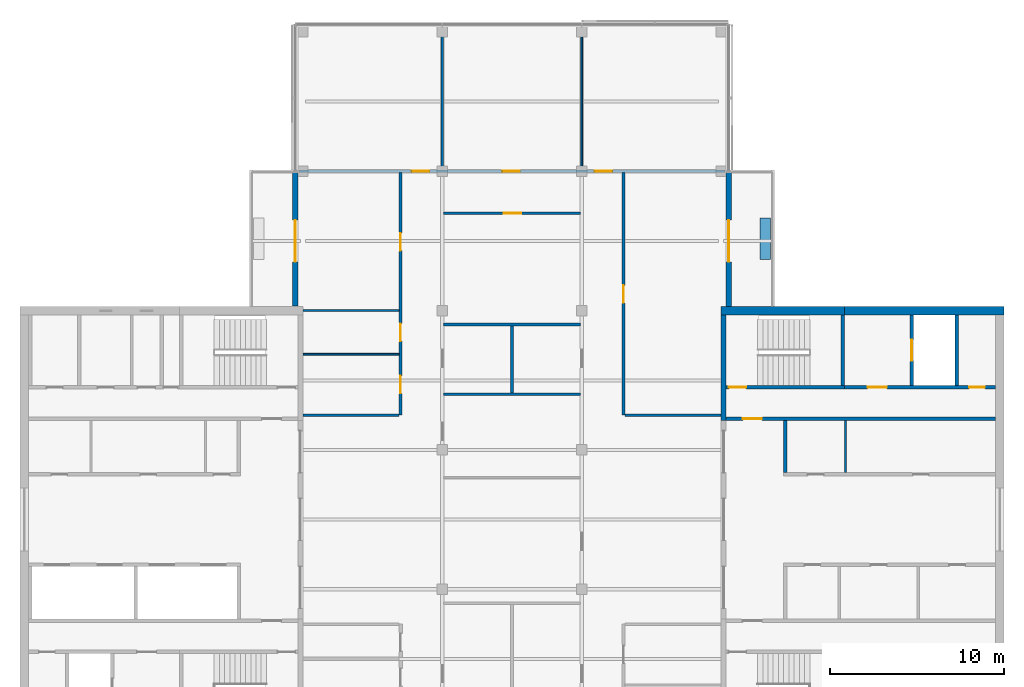
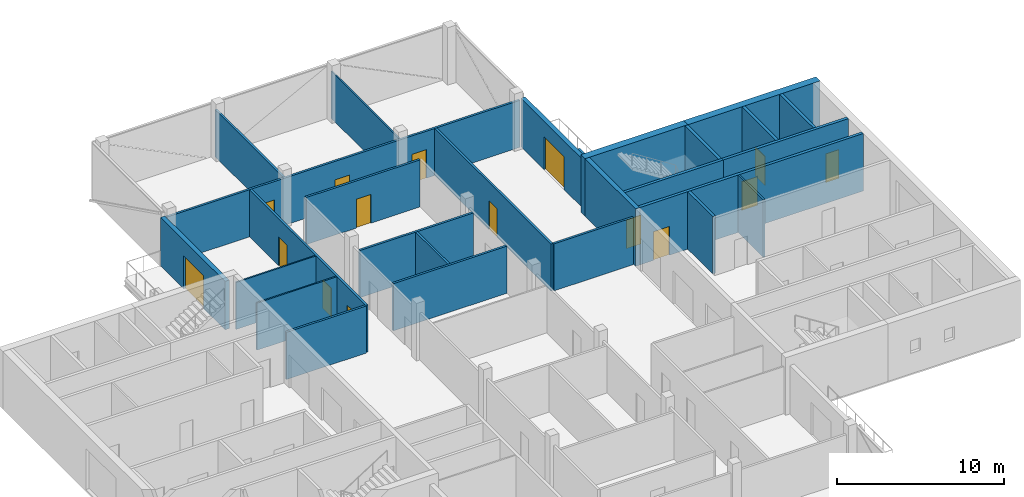
# One storey, part 8 of 12: 27 walls, 15 doors, 15 openings.
"""IFC4 building model written with IfcOpenShell, lengths in metres."""

from ifc_helpers import new_model, si_unit, direction, frame, frame_2d, origin, place, context, subcontext, project, spatial, rectangle, extrude, material, layer, layer_set, constituent, constituent_set, type_object, element, fill, save


model = new_model("IFC4")

# Units and contexts
model_context = context("Model", 3, precision=1e-05, world=origin(), true_north=direction((0.0, 1.0)))
body_context = subcontext(model_context, "Body", "Model", "MODEL_VIEW")
ifc_project = project(units=[si_unit("LENGTHUNIT", "METRE"), si_unit("AREAUNIT", "SQUARE_METRE"), si_unit("VOLUMEUNIT", "CUBIC_METRE"), si_unit("PLANEANGLEUNIT", "RADIAN"), si_unit("MASSUNIT", "GRAM", prefix="KILO")], contexts=[model_context])

# Site, building, storey
site_placement = place(None, origin())
site = spatial("IfcSite", under=ifc_project, at=site_placement, CompositionType="ELEMENT")
building_placement = place(site_placement, origin())
building = spatial("IfcBuilding", under=site, at=building_placement, Name="Crosswind Convention Tower", CompositionType="ELEMENT")
storey_placement = place(building_placement, frame((0.0, 0.0, 311.300048828125)))
storey = spatial("IfcBuildingStorey", under=building, at=storey_placement, Name="L67", CompositionType="ELEMENT", Elevation=311.300048828125)

# Walls
ifc_material_1 = material(Name="Concrete C50/60", Category="concrete")
ifc_layer_1 = layer(ifc_material_1, 0.300048828125)
ifc_layer_set_1 = layer_set([ifc_layer_1], Name="Concrete C50/60")
wall_type_1 = type_object("IfcWallType", Name="Concrete inner core wall 300", PredefinedType="SHEAR", material=ifc_layer_set_1)
wall_1_placement = place(storey_placement, frame((137.14990234375, 105.699951171875, 0.0), z_axis=(0.0, 0.0, 1.0), x_axis=(0.0, 1.0, 0.0)))
element("IfcWall", 1, at=wall_1_placement, inside=storey, type_object=wall_type_1, Name="Wall EP E L67", PredefinedType="SHEAR", context=body_context, shape_type="SweptSolid", body=[
    extrude(rectangle(XDim=6.050048828125, YDim=0.300048828125, at=frame_2d((3.02490234375, 0.0))), origin(), (0.0, 0.0, 1.0), 4.199951171875),
])
ifc_layer_2 = layer(ifc_material_1, 0.199951171875)
ifc_layer_set_2 = layer_set([ifc_layer_2], Name="Concrete C50/60")
wall_type_2 = type_object("IfcWallType", Name="Concrete shaft and stair wall 200", PredefinedType="SHEAR", material=ifc_layer_set_2)
wall_2_placement = place(storey_placement, frame((140.699951171875, 102.699951171875, 0.0), z_axis=(0.0, 0.0, 1.0), x_axis=(0.0, 1.0, 0.0)))
element("IfcWall", 2, at=wall_2_placement, inside=storey, type_object=wall_type_2, Name="Wall RPEND E L67", PredefinedType="SHEAR", context=body_context, shape_type="SweptSolid", body=[
    extrude(rectangle(XDim=3.0, YDim=0.199951171875, at=frame_2d((1.5, 0.0))), origin(), (0.0, 0.0, 1.0), 4.199951171875),
])

# Wall, opening, door
wall_3_placement = place(storey_placement, frame((137.300048828125, 105.800048828125, 0.0), z_axis=(0.0, 0.0, 1.0), x_axis=(1.0, 0.0, 0.0)))
wall_3 = element("IfcWall", 3, at=wall_3_placement, inside=storey, type_object=wall_type_2, Name="Wall HP E L67", PredefinedType="SHEAR", context=body_context, shape_type="SweptSolid", body=[
    extrude(rectangle(XDim=15.449951171875, YDim=0.199951171875, at=frame_2d((7.72509765625, 0.0))), origin(), (0.0, 0.0, 1.0), 4.199951171875),
])
opening_1_placement = place(wall_3_placement, frame((0.949951171875, 0.0, 0.0)))
opening_1 = element("IfcOpeningElement", 4, at=opening_1_placement, cuts=wall_3, Name="Opening D104", PredefinedType="OPENING", context=body_context, shape_type="SweptSolid", body=[
    extrude(rectangle(XDim=1.10009765625, YDim=2.10009765625, at=frame_2d((0.550048828125, 1.050048828125))), frame((0.0, 0.10986328125, 0.0), z_axis=(0.0, -1.0, 0.0), x_axis=(1.0, 0.0, 0.0)), (0.0, 0.0, 1.0), 0.219970703125),
])
ifc_material_2 = material(Name="Steel fire door", Category="steel")
door_type_1 = type_object("IfcDoorType", Name="Fire-rated single door 1100x2100", OperationType="NOTDEFINED", PredefinedType="DOOR", material=ifc_material_2)
door_1_placement = place(opening_1_placement, origin())
door_1 = element("IfcDoor", 5, at=door_1_placement, inside=storey, type_object=door_type_1, Name="Corridor door L67", ObjectType="D104", OperationType="SINGLE_SWING_LEFT", OverallHeight=2.10009765625, OverallWidth=1.10009765625, PredefinedType="DOOR", context=body_context, shape_type="SweptSolid", body=[
    extrude(rectangle(XDim=1.10009765625, YDim=2.10009765625, at=frame_2d((0.550048828125, 1.050048828125))), frame((0.0, 0.02490234375, 0.0), z_axis=(0.0, -1.0, 0.0), x_axis=(1.0, 0.0, 0.0)), (0.0, 0.0, 1.0), 0.050048828125),
])
fill(opening_1, door_1)

# Wall
wall_4_placement = place(storey_placement, frame((144.0, 107.699951171875, 0.0), z_axis=(0.0, 0.0, 1.0), x_axis=(0.0, 1.0, 0.0)))
element("IfcWall", 6, at=wall_4_placement, inside=storey, type_object=wall_type_2, Name="Wall PSE E L67", PredefinedType="SHEAR", context=body_context, shape_type="SweptSolid", body=[
    extrude(rectangle(XDim=4.050048828125, YDim=0.199951171875, at=frame_2d((2.02490234375, 0.0))), origin(), (0.0, 0.0, 1.0), 4.199951171875),
])

# Wall, opening, door
wall_5_placement = place(storey_placement, frame((147.949951171875, 107.699951171875, 0.0), z_axis=(0.0, 0.0, 1.0), x_axis=(0.0, 1.0, 0.0)))
wall_5 = element("IfcWall", 7, at=wall_5_placement, inside=storey, type_object=wall_type_2, Name="Wall PFLW E L67", PredefinedType="SHEAR", context=body_context, shape_type="SweptSolid", body=[
    extrude(rectangle(XDim=4.050048828125, YDim=0.199951171875, at=frame_2d((2.02490234375, 0.0))), origin(), (0.0, 0.0, 1.0), 4.199951171875),
])
opening_2_placement = place(wall_5_placement, frame((1.425048828125, 0.0, 0.0)))
opening_2 = element("IfcOpeningElement", 8, at=opening_2_placement, cuts=wall_5, Name="Opening LD1", PredefinedType="OPENING", context=body_context, shape_type="SweptSolid", body=[
    extrude(rectangle(XDim=1.199951171875, YDim=2.10009765625, at=frame_2d((0.60009765625, 1.050048828125))), frame((0.0, 0.10986328125, 0.0), z_axis=(0.0, -1.0, 0.0), x_axis=(1.0, 0.0, 0.0)), (0.0, 0.0, 1.0), 0.219970703125),
])
ifc_material_3 = material(Name="Stainless steel", Category="steel")
door_type_2 = type_object("IfcDoorType", Name="Lift landing door 1200x2100", OperationType="DOUBLE_DOOR_SLIDING", PredefinedType="DOOR", material=ifc_material_3)
door_2_placement = place(opening_2_placement, origin())
door_2 = element("IfcDoor", 9, at=door_2_placement, inside=storey, type_object=door_type_2, Name="Landing door FF1 L67", ObjectType="LD1", OperationType="DOUBLE_DOOR_SLIDING", OverallHeight=2.10009765625, OverallWidth=1.199951171875, PredefinedType="DOOR", context=body_context, shape_type="SweptSolid", body=[
    extrude(rectangle(XDim=1.199951171875, YDim=2.10009765625, at=frame_2d((0.60009765625, 1.050048828125))), frame((0.0, 0.02490234375, 0.0), z_axis=(0.0, -1.0, 0.0), x_axis=(1.0, 0.0, 0.0)), (0.0, 0.0, 1.0), 0.050048828125),
])
fill(opening_2, door_2)

# Wall
wall_6_placement = place(storey_placement, frame((150.550048828125, 107.699951171875, 0.0), z_axis=(0.0, 0.0, 1.0), x_axis=(0.0, 1.0, 0.0)))
element("IfcWall", 10, at=wall_6_placement, inside=storey, type_object=wall_type_2, Name="Wall PFSE E L67", PredefinedType="SHEAR", context=body_context, shape_type="SweptSolid", body=[
    extrude(rectangle(XDim=4.050048828125, YDim=0.199951171875, at=frame_2d((2.02490234375, 0.0))), origin(), (0.0, 0.0, 1.0), 4.199951171875),
])

# Wall, opening, door
wall_7_placement = place(storey_placement, frame((137.300048828125, 107.60009765625, 0.0), z_axis=(0.0, 0.0, 1.0), x_axis=(1.0, 0.0, 0.0)))
wall_7 = element("IfcWall", 11, at=wall_7_placement, inside=storey, type_object=wall_type_2, Name="Wall PCW E L67", PredefinedType="SHEAR", context=body_context, shape_type="SweptSolid", body=[
    extrude(rectangle(XDim=6.800048828125, YDim=0.199951171875, at=frame_2d((3.39990234375, 0.0))), origin(), (0.0, 0.0, 1.0), 4.199951171875),
])
opening_3_placement = place(wall_7_placement, frame((0.14990234375, 0.0, 0.0)))
opening_3 = element("IfcOpeningElement", 12, at=opening_3_placement, cuts=wall_7, Name="Opening D103", PredefinedType="OPENING", context=body_context, shape_type="SweptSolid", body=[
    extrude(rectangle(XDim=1.0, YDim=2.10009765625, at=frame_2d((0.5, 1.050048828125))), frame((0.0, 0.10986328125, 0.0), z_axis=(0.0, -1.0, 0.0), x_axis=(1.0, 0.0, 0.0)), (0.0, 0.0, 1.0), 0.219970703125),
])
door_type_3 = type_object("IfcDoorType", Name="Fire-rated single door 1000x2100", OperationType="NOTDEFINED", PredefinedType="DOOR", material=ifc_material_2)
door_3_placement = place(opening_3_placement, origin())
door_3 = element("IfcDoor", 13, at=door_3_placement, inside=storey, type_object=door_type_3, Name="Stair ST1 door L67", ObjectType="D103", OperationType="SINGLE_SWING_LEFT", OverallHeight=2.10009765625, OverallWidth=1.0, PredefinedType="DOOR", context=body_context, shape_type="SweptSolid", body=[
    extrude(rectangle(XDim=1.0, YDim=2.10009765625, at=frame_2d((0.5, 1.050048828125))), frame((0.0, 0.02490234375, 0.0), z_axis=(0.0, -1.0, 0.0), x_axis=(1.0, 0.0, 0.0)), (0.0, 0.0, 1.0), 0.050048828125),
])
fill(opening_3, door_3)

# Wall, openings, doors
wall_8_placement = place(storey_placement, frame((144.10009765625, 107.60009765625, 0.0), z_axis=(0.0, 0.0, 1.0), x_axis=(1.0, 0.0, 0.0)))
wall_8 = element("IfcWall", 14, at=wall_8_placement, inside=storey, type_object=wall_type_2, Name="Wall PCX E L67", PredefinedType="SHEAR", context=body_context, shape_type="SweptSolid", body=[
    extrude(rectangle(XDim=8.64990234375, YDim=0.199951171875, at=frame_2d((4.324951171875, 0.0))), origin(), (0.0, 0.0, 1.0), 4.199951171875),
])
opening_4_placement = place(wall_8_placement, frame((1.324951171875, 0.0, 0.0)))
opening_4 = element("IfcOpeningElement", 15, at=opening_4_placement, cuts=wall_8, Name="Opening D104", PredefinedType="OPENING", context=body_context, shape_type="SweptSolid", body=[
    extrude(rectangle(XDim=1.10009765625, YDim=2.10009765625, at=frame_2d((0.550048828125, 1.050048828125))), frame((0.0, 0.10986328125, 0.0), z_axis=(0.0, -1.0, 0.0), x_axis=(1.0, 0.0, 0.0)), (0.0, 0.0, 1.0), 0.219970703125),
])
opening_5_placement = place(wall_8_placement, frame((7.14990234375, 0.0, 0.0)))
opening_5 = element("IfcOpeningElement", 16, at=opening_5_placement, cuts=wall_8, Name="Opening D106", PredefinedType="OPENING", context=body_context, shape_type="SweptSolid", body=[
    extrude(rectangle(XDim=0.89990234375, YDim=2.10009765625, at=frame_2d((0.449951171875, 1.050048828125))), frame((0.0, 0.10986328125, 0.0), z_axis=(0.0, -1.0, 0.0), x_axis=(1.0, 0.0, 0.0)), (0.0, 0.0, 1.0), 0.219970703125),
])
door_4_placement = place(opening_4_placement, origin())
door_4 = element("IfcDoor", 17, at=door_4_placement, inside=storey, type_object=door_type_1, Name="Fire-fighting lobby FF1 door L67", ObjectType="D104", OperationType="SINGLE_SWING_RIGHT", OverallHeight=2.10009765625, OverallWidth=1.10009765625, PredefinedType="DOOR", context=body_context, shape_type="SweptSolid", body=[
    extrude(rectangle(XDim=1.10009765625, YDim=2.10009765625, at=frame_2d((0.550048828125, 1.050048828125))), frame((0.0, 0.02490234375, 0.0), z_axis=(0.0, -1.0, 0.0), x_axis=(1.0, 0.0, 0.0)), (0.0, 0.0, 1.0), 0.050048828125),
])
fill(opening_4, door_4)
ifc_material_4 = material(Name="Timber door", Category="wood")
door_type_4 = type_object("IfcDoorType", Name="Single leaf door 900x2100", OperationType="NOTDEFINED", PredefinedType="DOOR", material=ifc_material_4)
door_5_placement = place(opening_5_placement, origin())
door_5 = element("IfcDoor", 18, at=door_5_placement, inside=storey, type_object=door_type_4, Name="Door to comms room L67", ObjectType="D106", OperationType="SINGLE_SWING_RIGHT", OverallHeight=2.10009765625, OverallWidth=0.89990234375, PredefinedType="DOOR", context=body_context, shape_type="SweptSolid", body=[
    extrude(rectangle(XDim=0.89990234375, YDim=2.10009765625, at=frame_2d((0.449951171875, 1.050048828125))), frame((0.0, 0.02490234375, 0.0), z_axis=(0.0, -1.0, 0.0), x_axis=(1.0, 0.0, 0.0)), (0.0, 0.0, 1.0), 0.050048828125),
])
fill(opening_5, door_5)

# Walls
ifc_material_5 = material(Name="Gypsum plasterboard partition", Category="gypsum")
ifc_layer_3 = layer(ifc_material_5, 0.125)
ifc_layer_set_3 = layer_set([ifc_layer_3], Name="Drywall partition wall 125")
wall_type_3 = type_object("IfcWallType", Name="Drywall partition wall 125", PredefinedType="PARTITIONING", material=ifc_layer_set_3)
wall_9_placement = place(storey_placement, frame((144.14599609375, 102.699951171875, 0.0), z_axis=(0.0, 0.0, 1.0), x_axis=(0.0, 1.0, 0.0)))
element("IfcWall", 19, at=wall_9_placement, inside=storey, type_object=wall_type_3, Name="Wall RPP1 E L67", PredefinedType="PARTITIONING", context=body_context, shape_type="SweptSolid", body=[
    extrude(rectangle(XDim=3.0, YDim=0.125, at=frame_2d((1.5, 0.0))), origin(), (0.0, 0.0, 1.0), 4.199951171875),
])
ifc_material_6 = material(Name="Plasterboard partition", Category="gypsum")
ifc_layer_4 = layer(ifc_material_6, 0.10009765625)
ifc_layer_set_4 = layer_set([ifc_layer_4], Name="PARTITION 100 METAL STUD")
wall_type_4 = type_object("IfcWallType", Name="PARTITION 100 METAL STUD", PredefinedType="PARTITIONING", material=ifc_layer_set_4)
wall_10_placement = place(storey_placement, frame((129.0, 120.074951171875, 0.0), z_axis=(0.0, 0.0, 1.0), x_axis=(0.0, 1.0, 0.0)))
element("IfcWall", 20, at=wall_10_placement, inside=storey, type_object=wall_type_4, Name="Partition wall WT40", PredefinedType="PARTITIONING", context=body_context, shape_type="SweptSolid", body=[
    extrude(rectangle(XDim=8.14501953125, YDim=0.10009765625, at=frame_2d((4.072509765625, 0.0))), origin(), (0.0, 0.0, 1.0), 3.44287109375),
])
for number, where, z_axis, x_axis, name in (
    (21, (113.0, 109.5, 0.0), (0.0, 0.0, 1.0), (1.0, 0.0, 0.0), "Partition wall WT40"),
    (22, (113.0, 112.0, 0.0), (0.0, 0.0, 1.0), (1.0, 0.0, 0.0), "Partition wall WT40"),
):
    element("IfcWall", number, at=place(storey_placement, frame(where, z_axis=z_axis, x_axis=x_axis)), inside=storey, type_object=wall_type_4, Name=name, PredefinedType="PARTITIONING", context=body_context, shape_type="SweptSolid", body=[
        extrude(rectangle(XDim=5.52490234375, YDim=0.10009765625, at=frame_2d((2.762451171875, 0.0))), origin(), (0.0, 0.0, 1.0), 3.44287109375),
    ])
ifc_material_7 = material(Name="Concrete C30/37", Category="concrete")
ifc_layer_5 = layer(ifc_material_7, 0.60009765625)
ifc_layer_set_5 = layer_set([ifc_layer_5], Name="Concrete C30/37")
wall_type_5 = type_object("IfcWallType", Name="PLANTER BOX WALL 600", PredefinedType="SOLIDWALL", material=ifc_layer_set_5)
wall_11_placement = place(storey_placement, frame((139.550048828125, 114.925048828125, 0.0), z_axis=(0.0, 0.0, 1.0), x_axis=(0.0, 1.0, 0.0)))
element("IfcWall", 23, at=wall_11_placement, inside=storey, type_object=wall_type_5, Name="PLANTER L67 N-E.1-1", PredefinedType="SOLIDWALL", context=body_context, shape_type="SweptSolid", body=[
    extrude(rectangle(XDim=2.39990234375, YDim=0.60009765625, at=frame_2d((1.199951171875, 0.0))), origin(), (0.0, 0.0, 1.0), 0.599853515625),
])

# Wall, openings, doors
ifc_material_8 = material(Name="Fire-board partition with mineral wool", Category="gypsum")
ifc_layer_6 = layer(ifc_material_8, 0.14990234375)
ifc_layer_set_6 = layer_set([ifc_layer_6], Name="TENANCY WALL 150 TWO-HOUR BOARD")
wall_type_6 = type_object("IfcWallType", Name="TENANCY WALL 150 TWO-HOUR BOARD", PredefinedType="PARTITIONING", material=ifc_layer_set_6)
wall_12_placement = place(storey_placement, frame((118.60009765625, 106.0, 0.0), z_axis=(0.0, 0.0, 1.0), x_axis=(0.0, 1.0, 0.0)))
wall_12 = element("IfcWall", 24, at=wall_12_placement, inside=storey, type_object=wall_type_6, Name="Tenancy wall WT41", PredefinedType="PARTITIONING", context=body_context, shape_type="SweptSolid", body=[
    extrude(rectangle(XDim=13.925048828125, YDim=0.14990234375, at=frame_2d((6.96240234375, 0.0))), origin(), (0.0, 0.0, 1.0), 3.44287109375),
])
opening_6_placement = place(wall_12_placement, frame((1.25, 0.0, 0.0)))
opening_6 = element("IfcOpeningElement", 25, at=opening_6_placement, cuts=wall_12, Name="Opening L67-54", PredefinedType="OPENING", context=body_context, shape_type="SweptSolid", body=[
    extrude(rectangle(XDim=1.0, YDim=2.10009765625, at=frame_2d((0.5, 1.050048828125))), frame((0.0, 0.0849609375, 0.0), z_axis=(0.0, -1.0, 0.0), x_axis=(1.0, 0.0, 0.0)), (0.0, 0.0, 1.0), 0.169921875),
])
opening_7_placement = place(wall_12_placement, frame((4.25, 0.0, 0.0)))
opening_7 = element("IfcOpeningElement", 26, at=opening_7_placement, cuts=wall_12, Name="Opening L67-55", PredefinedType="OPENING", context=body_context, shape_type="SweptSolid", body=[
    extrude(rectangle(XDim=1.0, YDim=2.10009765625, at=frame_2d((0.5, 1.050048828125))), frame((0.0, 0.0849609375, 0.0), z_axis=(0.0, -1.0, 0.0), x_axis=(1.0, 0.0, 0.0)), (0.0, 0.0, 1.0), 0.169921875),
])
opening_8_placement = place(wall_12_placement, frame((9.449951171875, 0.0, 0.0)))
opening_8 = element("IfcOpeningElement", 27, at=opening_8_placement, cuts=wall_12, Name="Opening L67-56", PredefinedType="OPENING", context=body_context, shape_type="SweptSolid", body=[
    extrude(rectangle(XDim=1.0, YDim=2.10009765625, at=frame_2d((0.5, 1.050048828125))), frame((0.0, 0.0849609375, 0.0), z_axis=(0.0, -1.0, 0.0), x_axis=(1.0, 0.0, 0.0)), (0.0, 0.0, 1.0), 0.169921875),
])
ifc_material_9 = material(Name="Timber fire door", Category="wood")
door_type_5 = type_object("IfcDoorType", Name="TENANCY ENTRANCE DOOR 1000X2100 FD30S", OperationType="NOTDEFINED", PredefinedType="DOOR", material=ifc_material_9)
door_6_placement = place(opening_6_placement, origin())
door_6 = element("IfcDoor", 28, at=door_6_placement, inside=storey, type_object=door_type_5, Name="Door L67-54", ObjectType="D41", OperationType="SINGLE_SWING_RIGHT", OverallHeight=2.10009765625, OverallWidth=1.0, PredefinedType="DOOR", context=body_context, shape_type="SweptSolid", body=[
    extrude(rectangle(XDim=1.0, YDim=2.10009765625, at=frame_2d((0.5, 1.050048828125))), frame((0.0, 0.02490234375, 0.0), z_axis=(0.0, -1.0, 0.0), x_axis=(1.0, 0.0, 0.0)), (0.0, 0.0, 1.0), 0.050048828125),
])
fill(opening_6, door_6)
door_7_placement = place(opening_7_placement, origin())
door_7 = element("IfcDoor", 29, at=door_7_placement, inside=storey, type_object=door_type_5, Name="Door L67-55", ObjectType="D41", OperationType="SINGLE_SWING_RIGHT", OverallHeight=2.10009765625, OverallWidth=1.0, PredefinedType="DOOR", context=body_context, shape_type="SweptSolid", body=[
    extrude(rectangle(XDim=1.0, YDim=2.10009765625, at=frame_2d((0.5, 1.050048828125))), frame((0.0, 0.02490234375, 0.0), z_axis=(0.0, -1.0, 0.0), x_axis=(1.0, 0.0, 0.0)), (0.0, 0.0, 1.0), 0.050048828125),
])
fill(opening_7, door_7)
door_8_placement = place(opening_8_placement, origin())
door_8 = element("IfcDoor", 30, at=door_8_placement, inside=storey, type_object=door_type_5, Name="Door L67-56", ObjectType="D41", OperationType="SINGLE_SWING_LEFT", OverallHeight=2.10009765625, OverallWidth=1.0, PredefinedType="DOOR", context=body_context, shape_type="SweptSolid", body=[
    extrude(rectangle(XDim=1.0, YDim=2.10009765625, at=frame_2d((0.5, 1.050048828125))), frame((0.0, 0.02490234375, 0.0), z_axis=(0.0, -1.0, 0.0), x_axis=(1.0, 0.0, 0.0)), (0.0, 0.0, 1.0), 0.050048828125),
])
fill(opening_8, door_8)

# Walls
wall_13_placement = place(storey_placement, frame((121.0, 120.074951171875, 0.0), z_axis=(0.0, 0.0, 1.0), x_axis=(0.0, 1.0, 0.0)))
element("IfcWall", 31, at=wall_13_placement, inside=storey, type_object=wall_type_6, Name="Tenancy wall WT41", PredefinedType="PARTITIONING", context=body_context, shape_type="SweptSolid", body=[
    extrude(rectangle(XDim=8.14501953125, YDim=0.14990234375, at=frame_2d((4.072509765625, 0.0))), origin(), (0.0, 0.0, 1.0), 3.44287109375),
])
wall_14_placement = place(storey_placement, frame((125.0, 107.27490234375, 0.0), z_axis=(0.0, 0.0, 1.0), x_axis=(0.0, 1.0, 0.0)))
element("IfcWall", 32, at=wall_14_placement, inside=storey, type_object=wall_type_6, Name="Tenancy wall WT41", PredefinedType="PARTITIONING", context=body_context, shape_type="SweptSolid", body=[
    extrude(rectangle(XDim=3.85009765625, YDim=0.14990234375, at=frame_2d((1.925048828125, 0.0))), origin(), (0.0, 0.0, 1.0), 3.44287109375),
])

# Wall, opening, door
wall_15_placement = place(storey_placement, frame((131.39990234375, 106.0, 0.0), z_axis=(0.0, 0.0, 1.0), x_axis=(0.0, 1.0, 0.0)))
wall_15 = element("IfcWall", 33, at=wall_15_placement, inside=storey, type_object=wall_type_6, Name="Tenancy wall WT41", PredefinedType="PARTITIONING", context=body_context, shape_type="SweptSolid", body=[
    extrude(rectangle(XDim=13.925048828125, YDim=0.14990234375, at=frame_2d((6.96240234375, 0.0))), origin(), (0.0, 0.0, 1.0), 3.44287109375),
])
opening_9_placement = place(wall_15_placement, frame((6.449951171875, 0.0, 0.0)))
opening_9 = element("IfcOpeningElement", 34, at=opening_9_placement, cuts=wall_15, Name="Opening L67-50", PredefinedType="OPENING", context=body_context, shape_type="SweptSolid", body=[
    extrude(rectangle(XDim=1.0, YDim=2.10009765625, at=frame_2d((0.5, 1.050048828125))), frame((0.0, 0.0849609375, 0.0), z_axis=(0.0, -1.0, 0.0), x_axis=(1.0, 0.0, 0.0)), (0.0, 0.0, 1.0), 0.169921875),
])
door_9_placement = place(opening_9_placement, origin())
door_9 = element("IfcDoor", 35, at=door_9_placement, inside=storey, type_object=door_type_5, Name="Door L67-50", ObjectType="D41", OperationType="SINGLE_SWING_RIGHT", OverallHeight=2.10009765625, OverallWidth=1.0, PredefinedType="DOOR", context=body_context, shape_type="SweptSolid", body=[
    extrude(rectangle(XDim=1.0, YDim=2.10009765625, at=frame_2d((0.5, 1.050048828125))), frame((0.0, 0.02490234375, 0.0), z_axis=(0.0, -1.0, 0.0), x_axis=(1.0, 0.0, 0.0)), (0.0, 0.0, 1.0), 0.050048828125),
])
fill(opening_9, door_9)

# Walls
for number, where, z_axis, x_axis, name in (
    (36, (113.0, 106.0, 0.0), (0.0, 0.0, 1.0), (1.0, 0.0, 0.0), "Tenancy wall WT41"),
    (37, (131.47509765625, 106.0, 0.0), (0.0, 0.0, 1.0), (1.0, 0.0, 0.0), "Tenancy wall WT41"),
):
    element("IfcWall", number, at=place(storey_placement, frame(where, z_axis=z_axis, x_axis=x_axis)), inside=storey, type_object=wall_type_6, Name=name, PredefinedType="PARTITIONING", context=body_context, shape_type="SweptSolid", body=[
        extrude(rectangle(XDim=5.52490234375, YDim=0.14990234375, at=frame_2d((2.762451171875, 0.0))), origin(), (0.0, 0.0, 1.0), 3.44287109375),
    ])
for number, where, z_axis, x_axis, name in (
    (38, (121.074951171875, 107.199951171875, 0.0), (0.0, 0.0, 1.0), (1.0, 0.0, 0.0), "Tenancy wall WT41"),
    (39, (121.074951171875, 111.199951171875, 0.0), (0.0, 0.0, 1.0), (1.0, 0.0, 0.0), "Tenancy wall WT41"),
):
    element("IfcWall", number, at=place(storey_placement, frame(where, z_axis=z_axis, x_axis=x_axis)), inside=storey, type_object=wall_type_6, Name=name, PredefinedType="PARTITIONING", context=body_context, shape_type="SweptSolid", body=[
        extrude(rectangle(XDim=7.85009765625, YDim=0.14990234375, at=frame_2d((3.925048828125, 0.0))), origin(), (0.0, 0.0, 1.0), 3.44287109375),
    ])

# Wall, opening, door
wall_16_placement = place(storey_placement, frame((121.074951171875, 117.60009765625, 0.0), z_axis=(0.0, 0.0, 1.0), x_axis=(1.0, 0.0, 0.0)))
wall_16 = element("IfcWall", 40, at=wall_16_placement, inside=storey, type_object=wall_type_6, Name="Tenancy wall WT41", PredefinedType="PARTITIONING", context=body_context, shape_type="SweptSolid", body=[
    extrude(rectangle(XDim=7.85009765625, YDim=0.14990234375, at=frame_2d((3.925048828125, 0.0))), origin(), (0.0, 0.0, 1.0), 3.44287109375),
])
opening_10_placement = place(wall_16_placement, frame((3.449951171875, 0.0, 0.0)))
opening_10 = element("IfcOpeningElement", 41, at=opening_10_placement, cuts=wall_16, Name="Opening L67-72", PredefinedType="OPENING", context=body_context, shape_type="SweptSolid", body=[
    extrude(rectangle(XDim=1.0, YDim=2.10009765625, at=frame_2d((0.5, 1.050048828125))), frame((0.0, 0.0849609375, 0.0), z_axis=(0.0, -1.0, 0.0), x_axis=(1.0, 0.0, 0.0)), (0.0, 0.0, 1.0), 0.169921875),
])
door_10_placement = place(opening_10_placement, frame((1.0, 0.0, 0.0), z_axis=(0.0, 0.0, 1.0), x_axis=(-1.0, 0.0, 0.0)))
door_10 = element("IfcDoor", 42, at=door_10_placement, inside=storey, type_object=door_type_5, Name="Door L67-72", ObjectType="D41", OperationType="SINGLE_SWING_LEFT", OverallHeight=2.10009765625, OverallWidth=1.0, PredefinedType="DOOR", context=body_context, shape_type="SweptSolid", body=[
    extrude(rectangle(XDim=1.0, YDim=2.10009765625, at=frame_2d((0.5, 1.050048828125))), frame((0.0, 0.02490234375, 0.0), z_axis=(0.0, -1.0, 0.0), x_axis=(1.0, 0.0, 0.0)), (0.0, 0.0, 1.0), 0.050048828125),
])
fill(opening_10, door_10)

# Wall, openings, doors
wall_17_placement = place(storey_placement, frame((112.780029296875, 120.0, 0.0), z_axis=(0.0, 0.0, 1.0), x_axis=(1.0, 0.0, 0.0)))
wall_17 = element("IfcWall", 43, at=wall_17_placement, inside=storey, type_object=wall_type_6, Name="Tenancy wall WT41", PredefinedType="PARTITIONING", context=body_context, shape_type="SweptSolid", body=[
    extrude(rectangle(XDim=24.43994140625, YDim=0.14990234375, at=frame_2d((12.219970703125, 0.0))), origin(), (0.0, 0.0, 1.0), 3.44287109375),
])
opening_11_placement = place(wall_17_placement, frame((6.469970703125, 0.0, 0.0)))
opening_11 = element("IfcOpeningElement", 44, at=opening_11_placement, cuts=wall_17, Name="Opening L67-61", PredefinedType="OPENING", context=body_context, shape_type="SweptSolid", body=[
    extrude(rectangle(XDim=1.0, YDim=2.10009765625, at=frame_2d((0.5, 1.050048828125))), frame((0.0, 0.0849609375, 0.0), z_axis=(0.0, -1.0, 0.0), x_axis=(1.0, 0.0, 0.0)), (0.0, 0.0, 1.0), 0.169921875),
])
opening_12_placement = place(wall_17_placement, frame((11.669921875, 0.0, 0.0)))
opening_12 = element("IfcOpeningElement", 45, at=opening_12_placement, cuts=wall_17, Name="Opening L67-62", PredefinedType="OPENING", context=body_context, shape_type="SweptSolid", body=[
    extrude(rectangle(XDim=1.0, YDim=2.10009765625, at=frame_2d((0.5, 1.050048828125))), frame((0.0, 0.0849609375, 0.0), z_axis=(0.0, -1.0, 0.0), x_axis=(1.0, 0.0, 0.0)), (0.0, 0.0, 1.0), 0.169921875),
])
opening_13_placement = place(wall_17_placement, frame((16.969970703125, 0.0, 0.0)))
opening_13 = element("IfcOpeningElement", 46, at=opening_13_placement, cuts=wall_17, Name="Opening L67-63", PredefinedType="OPENING", context=body_context, shape_type="SweptSolid", body=[
    extrude(rectangle(XDim=1.0, YDim=2.10009765625, at=frame_2d((0.5, 1.050048828125))), frame((0.0, 0.0849609375, 0.0), z_axis=(0.0, -1.0, 0.0), x_axis=(1.0, 0.0, 0.0)), (0.0, 0.0, 1.0), 0.169921875),
])
door_11_placement = place(opening_11_placement, origin())
door_11 = element("IfcDoor", 47, at=door_11_placement, inside=storey, type_object=door_type_5, Name="Door L67-61", ObjectType="D41", OperationType="SINGLE_SWING_RIGHT", OverallHeight=2.10009765625, OverallWidth=1.0, PredefinedType="DOOR", context=body_context, shape_type="SweptSolid", body=[
    extrude(rectangle(XDim=1.0, YDim=2.10009765625, at=frame_2d((0.5, 1.050048828125))), frame((0.0, 0.02490234375, 0.0), z_axis=(0.0, -1.0, 0.0), x_axis=(1.0, 0.0, 0.0)), (0.0, 0.0, 1.0), 0.050048828125),
])
fill(opening_11, door_11)
door_12_placement = place(opening_12_placement, frame((1.0, 0.0, 0.0), z_axis=(0.0, 0.0, 1.0), x_axis=(-1.0, 0.0, 0.0)))
door_12 = element("IfcDoor", 48, at=door_12_placement, inside=storey, type_object=door_type_5, Name="Door L67-62", ObjectType="D41", OperationType="SINGLE_SWING_RIGHT", OverallHeight=2.10009765625, OverallWidth=1.0, PredefinedType="DOOR", context=body_context, shape_type="SweptSolid", body=[
    extrude(rectangle(XDim=1.0, YDim=2.10009765625, at=frame_2d((0.5, 1.050048828125))), frame((0.0, 0.02490234375, 0.0), z_axis=(0.0, -1.0, 0.0), x_axis=(1.0, 0.0, 0.0)), (0.0, 0.0, 1.0), 0.050048828125),
])
fill(opening_12, door_12)
door_13_placement = place(opening_13_placement, origin())
door_13 = element("IfcDoor", 49, at=door_13_placement, inside=storey, type_object=door_type_5, Name="Door L67-63", ObjectType="D41", OperationType="SINGLE_SWING_LEFT", OverallHeight=2.10009765625, OverallWidth=1.0, PredefinedType="DOOR", context=body_context, shape_type="SweptSolid", body=[
    extrude(rectangle(XDim=1.0, YDim=2.10009765625, at=frame_2d((0.5, 1.050048828125))), frame((0.0, 0.02490234375, 0.0), z_axis=(0.0, -1.0, 0.0), x_axis=(1.0, 0.0, 0.0)), (0.0, 0.0, 1.0), 0.050048828125),
])
fill(opening_13, door_13)

# Wall, opening, door
ifc_material_10 = material(Name="Terracotta rainscreen", Category="ceramic")
ifc_layer_7 = layer(ifc_material_10, 0.02001953125)
ifc_material_11 = material(Name="Mineral wool insulation", Category="insulation")
ifc_layer_8 = layer(ifc_material_11, 0.10009765625)
ifc_material_12 = material(Name="Concrete blockwork", Category="masonry")
ifc_layer_9 = layer(ifc_material_12, 0.179931640625)
ifc_layer_set_7 = layer_set([ifc_layer_7, ifc_layer_8, ifc_layer_9], Name="TERRACOTTA INFILL WALL 300")
wall_type_7 = type_object("IfcWallType", Name="TERRACOTTA INFILL WALL 300", PredefinedType="SOLIDWALL", material=ifc_layer_set_7)
wall_18_placement = place(storey_placement, frame((137.449951171875, 112.25, 0.0), z_axis=(0.0, 0.0, 1.0), x_axis=(0.0, 1.0, 0.0)))
wall_18 = element("IfcWall", 50, at=wall_18_placement, inside=storey, type_object=wall_type_7, Name="Notch front wall L67 N-E.1-1", PredefinedType="SOLIDWALL", context=body_context, shape_type="SweptSolid", body=[
    extrude(rectangle(XDim=7.715087890625, YDim=0.300048828125, at=frame_2d((3.857421875, 0.0))), origin(), (0.0, 0.0, 1.0), 3.54443359375),
])
opening_14_placement = place(wall_18_placement, frame((2.550048828125, 0.0, 0.0)))
opening_14 = element("IfcOpeningElement", 51, at=opening_14_placement, cuts=wall_18, Name="Opening D143", PredefinedType="OPENING", context=body_context, shape_type="SweptSolid", body=[
    extrude(rectangle(XDim=2.39990234375, YDim=2.39990234375, at=frame_2d((1.199951171875, 1.199951171875))), frame((0.0, 0.159912109375, 0.0), z_axis=(0.0, -1.0, 0.0), x_axis=(1.0, 0.0, 0.0)), (0.0, 0.0, 1.0), 0.320068359375),
])
ifc_material_13 = material(Name="Aluminium glazed door", Category="aluminium")
door_type_6 = type_object("IfcDoorType", Name="WINTER GARDEN SLIDING DOOR 2400X2400", OperationType="SLIDING_TO_LEFT", PredefinedType="DOOR", material=ifc_material_13)
door_14_placement = place(opening_14_placement, frame((2.39990234375, 0.0, 0.0), z_axis=(0.0, 0.0, 1.0), x_axis=(-1.0, 0.0, 0.0)))
door_14 = element("IfcDoor", 52, at=door_14_placement, inside=storey, type_object=door_type_6, Name="D143 winter garden door L67 N-E.1-1", ObjectType="D143", OperationType="SLIDING_TO_LEFT", OverallHeight=2.39990234375, OverallWidth=2.39990234375, PredefinedType="DOOR", context=body_context, shape_type="SweptSolid", body=[
    extrude(rectangle(XDim=2.39990234375, YDim=2.39990234375, at=frame_2d((1.199951171875, 1.199951171875))), frame((0.0, 0.02490234375, 0.0), z_axis=(0.0, -1.0, 0.0), x_axis=(1.0, 0.0, 0.0)), (0.0, 0.0, 1.0), 0.050048828125),
])
fill(opening_14, door_14)

wall_19_placement = place(storey_placement, frame((112.550048828125, 119.965087890625, 0.0), z_axis=(0.0, 0.0, 1.0), x_axis=(0.0, -1.0, 0.0)))
wall_19 = element("IfcWall", 53, at=wall_19_placement, inside=storey, type_object=wall_type_7, Name="Notch front wall L67 N-W.1-2", PredefinedType="SOLIDWALL", context=body_context, shape_type="SweptSolid", body=[
    extrude(rectangle(XDim=7.715087890625, YDim=0.300048828125, at=frame_2d((3.857421875, 0.0))), origin(), (0.0, 0.0, 1.0), 3.54443359375),
])
opening_15_placement = place(wall_19_placement, frame((2.764892578125, 0.0, 0.0)))
opening_15 = element("IfcOpeningElement", 54, at=opening_15_placement, cuts=wall_19, Name="Opening D143", PredefinedType="OPENING", context=body_context, shape_type="SweptSolid", body=[
    extrude(rectangle(XDim=2.39990234375, YDim=2.39990234375, at=frame_2d((1.199951171875, 1.199951171875))), frame((0.0, 0.159912109375, 0.0), z_axis=(0.0, -1.0, 0.0), x_axis=(1.0, 0.0, 0.0)), (0.0, 0.0, 1.0), 0.320068359375),
])
door_15_placement = place(opening_15_placement, frame((2.39990234375, 0.0, 0.0), z_axis=(0.0, 0.0, 1.0), x_axis=(-1.0, 0.0, 0.0)))
door_15 = element("IfcDoor", 55, at=door_15_placement, inside=storey, type_object=door_type_6, Name="D143 winter garden door L67 N-W.1-2", ObjectType="D143", OperationType="SLIDING_TO_LEFT", OverallHeight=2.39990234375, OverallWidth=2.39990234375, PredefinedType="DOOR", context=body_context, shape_type="SweptSolid", body=[
    extrude(rectangle(XDim=2.39990234375, YDim=2.39990234375, at=frame_2d((1.199951171875, 1.199951171875))), frame((0.0, 0.02490234375, 0.0), z_axis=(0.0, -1.0, 0.0), x_axis=(1.0, 0.0, 0.0)), (0.0, 0.0, 1.0), 0.050048828125),
])
fill(opening_15, door_15)

# Walls
ifc_material_14 = material(Name="Concrete C60/75", Category="concrete")
ifc_constituent_1 = constituent(ifc_material_14, Name="Structure")
ifc_constituent_2 = constituent(ifc_material_10, Name="Facing")
ifc_constituent_set = constituent_set(constituents=[ifc_constituent_1, ifc_constituent_2], Name="Concrete C60/75, Terracotta rainscreen")
wall_type_8 = type_object("IfcWallType", Name="Terracotta rainscreen on concrete core wall 500", PredefinedType="SHEAR", material=ifc_constituent_set)
wall_20_placement = place(storey_placement, frame((137.0, 112.0, 0.0), z_axis=(0.0, 0.0, 1.0), x_axis=(1.0, 0.0, 0.0)))
element("IfcWall", 56, at=wall_20_placement, inside=storey, type_object=wall_type_8, Name="Wall N1 E L67", PredefinedType="SHEAR", context=body_context, shape_type="SweptSolid", body=[
    extrude(rectangle(XDim=7.10009765625, YDim=0.5, at=frame_2d((3.550048828125, 0.0))), origin(), (0.0, 0.0, 1.0), 4.199951171875),
])
wall_21_placement = place(storey_placement, frame((144.10009765625, 112.0, 0.0), z_axis=(0.0, 0.0, 1.0), x_axis=(1.0, 0.0, 0.0)))
element("IfcWall", 57, at=wall_21_placement, inside=storey, type_object=wall_type_8, Name="Wall N2 E L67", PredefinedType="SHEAR", context=body_context, shape_type="SweptSolid", body=[
    extrude(rectangle(XDim=9.14990234375, YDim=0.5, at=frame_2d((4.574951171875, 0.0))), origin(), (0.0, 0.0, 1.0), 4.199951171875),
])

save(model, "model.ifc")
